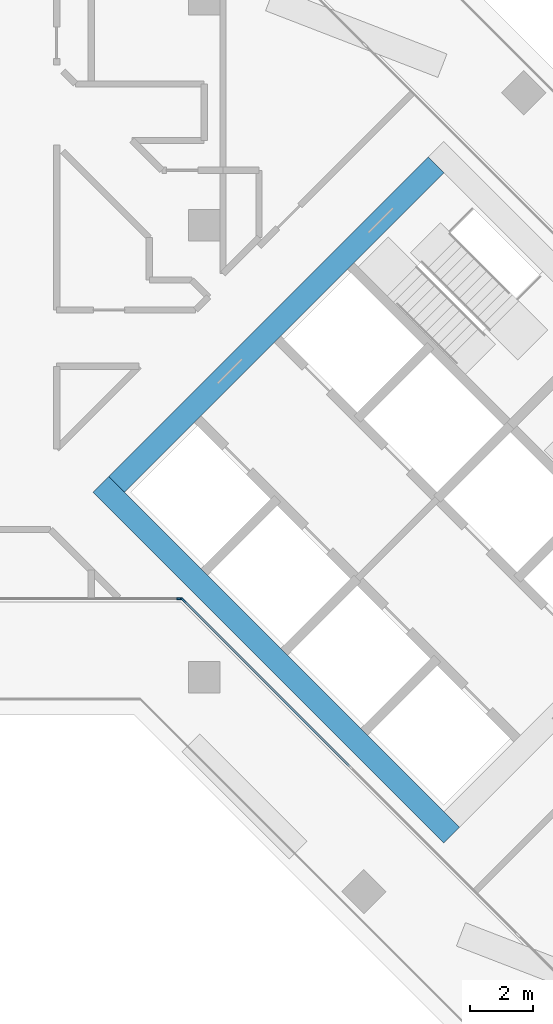
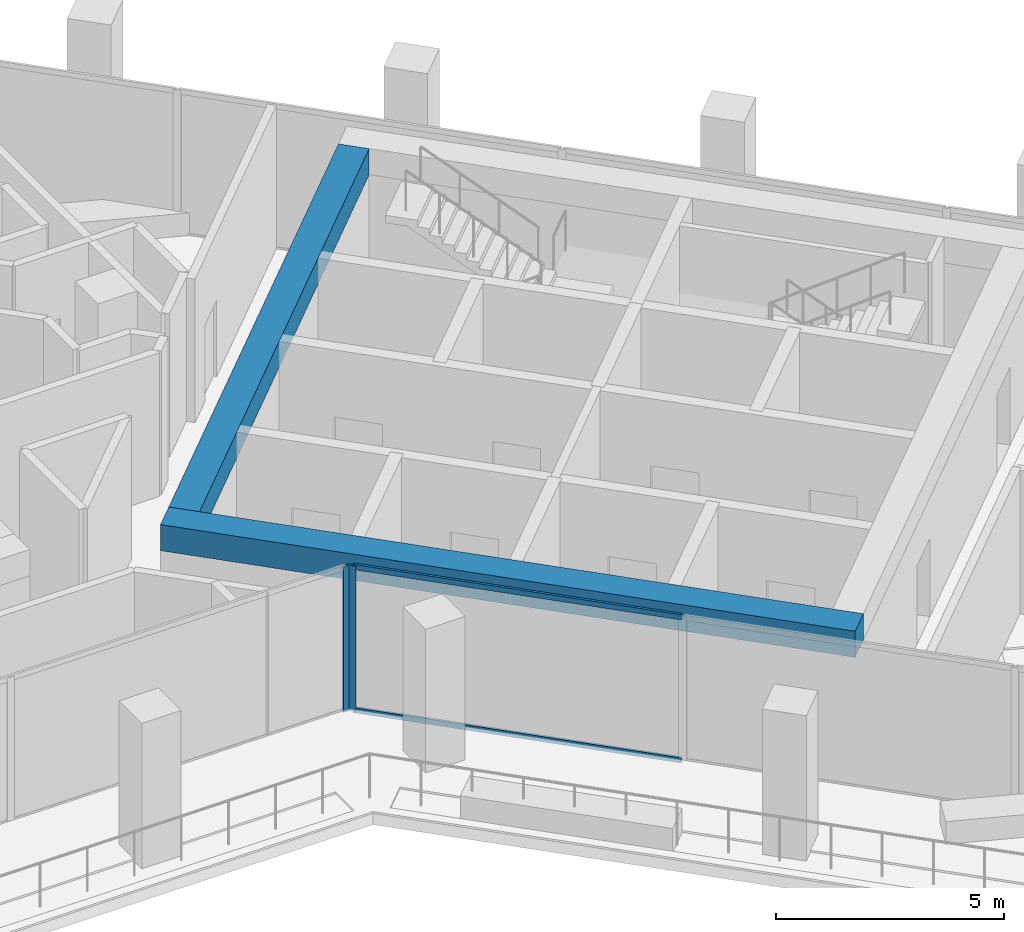
# One storey, part 4 of 21: 4 members, 2 beams, 2 elements without a shape of their own.
"""IFC4 building model written with IfcOpenShell, lengths in metres."""

from ifc_helpers import new_model, si_unit, direction, frame, origin, origin_2d, place, context, subcontext, project, spatial, rectangle, extrude, material, material_profile, profile_set, type_object, element, aggregate, save


model = new_model("IFC4")

# Units and contexts
model_context = context("Model", 3, precision=1e-05, world=origin(), true_north=direction((0.0, 1.0)))
body_context = subcontext(model_context, "Body", "Model", "MODEL_VIEW")
ifc_project = project(units=[si_unit("LENGTHUNIT", "METRE"), si_unit("AREAUNIT", "SQUARE_METRE"), si_unit("VOLUMEUNIT", "CUBIC_METRE"), si_unit("PLANEANGLEUNIT", "RADIAN"), si_unit("MASSUNIT", "GRAM", prefix="KILO")], contexts=[model_context])

# Site, building, storey
site_placement = place(None, origin())
site = spatial("IfcSite", under=ifc_project, at=site_placement, CompositionType="ELEMENT")
building_placement = place(site_placement, origin())
building = spatial("IfcBuilding", under=site, at=building_placement, Name="Windrow Commons", CompositionType="ELEMENT")
storey_placement = place(building_placement, frame((0.0, 0.0, 131.2)))
storey = spatial("IfcBuildingStorey", under=building, at=storey_placement, Name="L35", CompositionType="ELEMENT", Elevation=131.2)

# Curtain wall, member
ifc_material_1 = material(Name="Clear laminated glass in Aluminium 6063-T6 anodised frame", Category="aluminium")
curtain_wall_type = type_object("IfcCurtainWallType", Name="Curtain wall CW2M sky lounge mid", PredefinedType="USERDEFINED", material=ifc_material_1)
placement = place(storey_placement, origin())
curtain_wall_1 = element("IfcCurtainWall", 1, at=placement, inside=storey, type_object=curtain_wall_type, Name="Curtain wall CW2M L35 12", ObjectType="UNITISED", PredefinedType="USERDEFINED")
ifc_material_2 = material(Name="Aluminium 6063-T6", Category="aluminium")
ifc_material_profile_1 = material_profile(ifc_material_2, rectangle(XDim=0.06, YDim=0.18, at=origin_2d()))
ifc_profile_set_1 = profile_set([ifc_material_profile_1], Name="Aluminium 6063-T6")
member_type_1 = type_object("IfcMemberType", Name="CW2M mullion 60x180", PredefinedType="MULLION", material=ifc_profile_set_1)
member_1_placement = place(storey_placement, frame((78.4171, 45.7, 0.0), z_axis=(0.0, 0.0, 1.0), x_axis=(0.0, 1.0, 0.0)))
member_1 = element("IfcMember", 2, at=member_1_placement, type_object=member_type_1, Name="CW2M mullion 4", PredefinedType="MULLION", context=body_context, shape_type="SweptSolid", body=[
    extrude(rectangle(XDim=0.06, YDim=0.18, at=origin_2d()), origin(), (0.0, 0.0, 1.0), 3.9),
])
aggregate(curtain_wall_1, [member_1])

# Curtain wall, members
curtain_wall_2 = element("IfcCurtainWall", 3, at=placement, inside=storey, type_object=curtain_wall_type, Name="Curtain wall CW2M L35 13", ObjectType="UNITISED", PredefinedType="USERDEFINED")
member_2_placement = place(storey_placement, frame((78.539, 45.6495, 0.0), z_axis=(0.0, 0.0, 1.0), x_axis=(0.7071067812, 0.7071067812, 0.0)))
member_2 = element("IfcMember", 4, at=member_2_placement, type_object=member_type_1, Name="CW2M mullion 1", PredefinedType="MULLION", context=body_context, shape_type="SweptSolid", body=[
    extrude(rectangle(XDim=0.06, YDim=0.18, at=origin_2d()), origin(), (0.0, 0.0, 1.0), 3.9),
])
ifc_material_3 = material(Name="Aluminium 6063-T6", Category="aluminium")
ifc_material_profile_2 = material_profile(ifc_material_3, rectangle(XDim=0.06, YDim=0.14, at=origin_2d()))
ifc_profile_set_2 = profile_set([ifc_material_profile_2], Name="Aluminium 6063-T6")
member_type_2 = type_object("IfcMemberType", Name="CW2M transom 60x140", PredefinedType="USERDEFINED", material=ifc_profile_set_2)
member_3_placement = place(storey_placement, frame((78.5602, 45.6283, 0.03), z_axis=(0.7071067812, -0.7071067812, 0.0), x_axis=(0.7071067812, 0.7071067812, 0.0)))
member_3 = element("IfcMember", 5, at=member_3_placement, type_object=member_type_2, Name="CW2M transom 1.1", ObjectType="TRANSOM", PredefinedType="USERDEFINED", context=body_context, shape_type="SweptSolid", body=[
    extrude(rectangle(XDim=0.06, YDim=0.14, at=origin_2d()), origin(), (0.0, 0.0, 1.0), 7.4649),
])
member_4_placement = place(storey_placement, frame((78.5602, 45.6283, 3.87), z_axis=(0.7071067812, -0.7071067812, 0.0), x_axis=(0.7071067812, 0.7071067812, 0.0)))
member_4 = element("IfcMember", 6, at=member_4_placement, type_object=member_type_2, Name="CW2M transom 1.2", ObjectType="TRANSOM", PredefinedType="USERDEFINED", context=body_context, shape_type="SweptSolid", body=[
    extrude(rectangle(XDim=0.06, YDim=0.14, at=origin_2d()), origin(), (0.0, 0.0, 1.0), 7.4649),
])
aggregate(curtain_wall_2, [member_2, member_3, member_4])

# Beams
ifc_material_4 = material(Name="Concrete C50/60", Category="concrete")
ifc_material_profile_3 = material_profile(ifc_material_4, rectangle(XDim=0.7, YDim=0.7, at=origin_2d()))
ifc_profile_set_3 = profile_set([ifc_material_profile_3], Name="Concrete C50/60")
beam_type = type_object("IfcBeamType", Name="RC COUPLING BEAM 700x700 C50/60", PredefinedType="LINTEL", material=ifc_profile_set_3)
beam_1_placement = place(storey_placement, frame((75.912, 49.3372, 3.55), z_axis=(0.7071036166, -0.7071099457, 0.0), x_axis=(0.7071099457, 0.7071036166, 0.0)))
element("IfcBeam", 7, at=beam_1_placement, inside=storey, type_object=beam_type, Name="Core B coupling beam outer-S", PredefinedType="LINTEL", context=body_context, shape_type="SweptSolid", body=[
    extrude(rectangle(XDim=0.7, YDim=0.7, at=origin_2d()), origin(), (0.0, 0.0, 1.0), 15.7999),
])
beam_2_placement = place(storey_placement, frame((76.4069, 49.3372, 3.55), z_axis=(0.7071067812, 0.7071067812, 0.0), x_axis=(-0.7071067812, 0.7071067812, 0.0)))
element("IfcBeam", 8, at=beam_2_placement, inside=storey, type_object=beam_type, Name="Core B coupling beam outer-W", PredefinedType="LINTEL", context=body_context, shape_type="SweptSolid", body=[
    extrude(rectangle(XDim=0.7, YDim=0.7, at=origin_2d()), origin(), (0.0, 0.0, 1.0), 14.4001),
])

save(model, "model.ifc")
